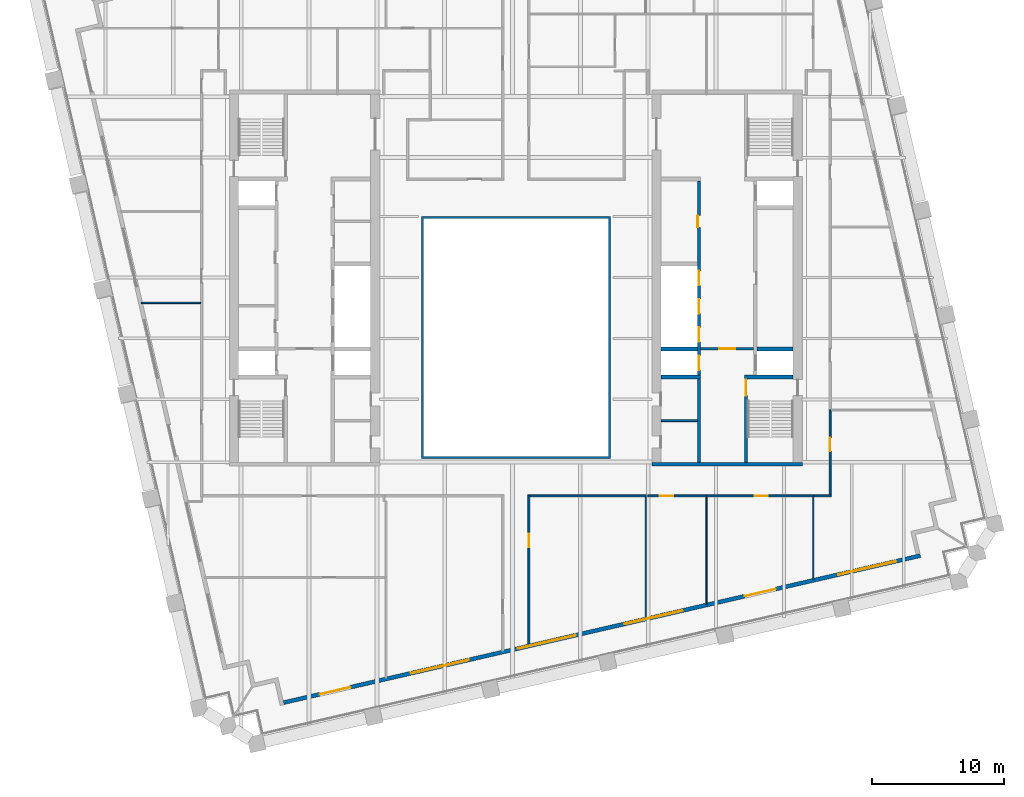
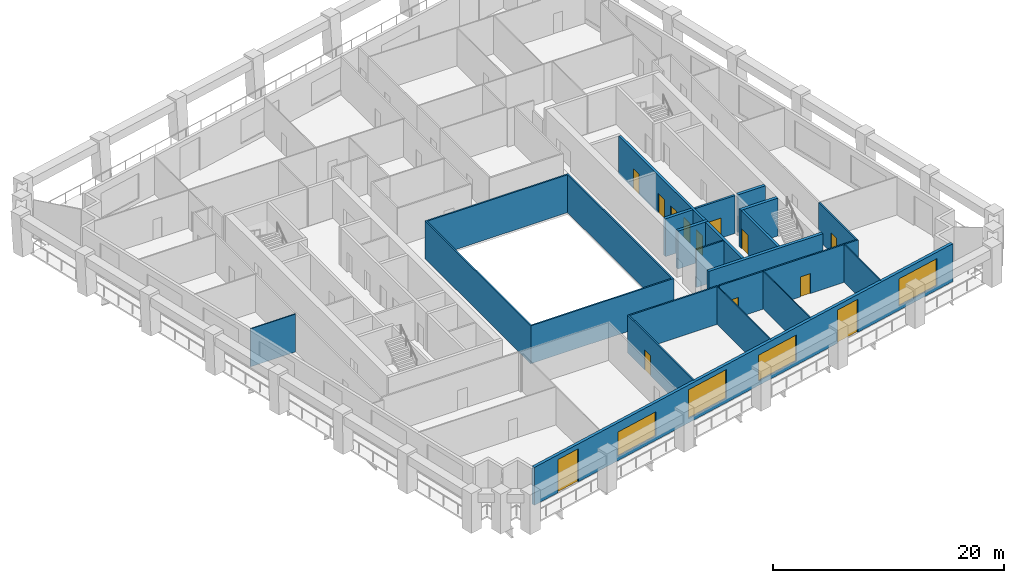
# One storey, part 5 of 10: 21 walls, 13 doors, 4 windows, 17 openings.
"""IFC4 building model written with IfcOpenShell, lengths in metres."""

import ifcopenshell
import ifcopenshell.guid

model = None  # the IFC model being written
_history = None  # IfcOwnerHistory: only IFC2X3 demands one
_inside = {}  # id of a spatial element -> (the spatial element, [elements in it])
_under = {}  # id of a project, library or spatial element -> (it, [spatial elements below it])
_declared = {}  # id of a project -> (the project, [libraries it declares])
_typed = {}  # id of a type object -> (the type object, [elements of that type])
_made_of = {}  # id of a material, layer set ... -> (it, [elements and type objects made of it])


def new_model(schema):
    """Start an empty IFC model of exactly this schema.

    Asked for "IFC4X3", IfcOpenShell would pick the latest addendum, in which some entities
    have other attributes; the version numbers below select the first issue.
    IFC2X3 requires an IfcOwnerHistory on every rooted entity: one is made here for all.
    """
    global model, _history
    if schema == "IFC4X3":
        model = ifcopenshell.file(schema_version=(4, 3, 0, 0))
    else:
        model = ifcopenshell.file(schema=schema)
    _inside.clear()
    _under.clear()
    _declared.clear()
    _typed.clear()
    _made_of.clear()
    _history = None
    if model.schema == "IFC2X3":
        org = make("IfcOrganization", Name="unknown")
        user = make(
            "IfcPersonAndOrganization",
            ThePerson=make("IfcPerson", FamilyName="unknown"),
            TheOrganization=org,
        )
        app = make(
            "IfcApplication",
            ApplicationDeveloper=org,
            Version="unknown",
            ApplicationFullName="unknown",
            ApplicationIdentifier="unknown",
        )
        _history = make(
            "IfcOwnerHistory",
            OwningUser=user,
            OwningApplication=app,
            ChangeAction="ADDED",
            CreationDate=0,
        )
    return model


def make(cls, **values):
    """One entity of the class cls with the attributes given. An attribute that is None is left unset."""
    return model.create_entity(
        cls, **{name: value for name, value in values.items() if value is not None}
    )


def rooted(cls, **values):
    """An entity with a GlobalId (a new one), such as an element, a storey or a relation."""
    return make(cls, GlobalId=ifcopenshell.guid.new(), OwnerHistory=_history, **values)


def si_unit(unit_type, name, prefix=None):
    """IfcSIUnit, for example si_unit("LENGTHUNIT", "METRE", prefix="MILLI")."""
    return make("IfcSIUnit", UnitType=unit_type, Prefix=prefix, Name=name)


def assignment(units):
    """IfcUnitAssignment: the units of a project."""
    return None if units is None else make("IfcUnitAssignment", Units=units)


def point(xyz):
    """IfcCartesianPoint."""
    return None if xyz is None else make("IfcCartesianPoint", Coordinates=xyz)


def direction(xyz):
    """IfcDirection."""
    return None if xyz is None else make("IfcDirection", DirectionRatios=xyz)


def frame(location, z_axis=None, x_axis=None):
    """IfcAxis2Placement3D, a coordinate frame: its origin and axes. An axis left out is left unset."""
    return make(
        "IfcAxis2Placement3D",
        Location=point(location),
        Axis=direction(z_axis),
        RefDirection=direction(x_axis),
    )


def frame_2d(location, x_axis=None):
    """IfcAxis2Placement2D, a coordinate frame in the plane: its origin and x axis."""
    return make(
        "IfcAxis2Placement2D", Location=point(location), RefDirection=direction(x_axis)
    )


def origin():
    """The frame at (0, 0, 0) with its axes left unset."""
    return frame((0.0, 0.0, 0.0))


def place(relative_to, where):
    """IfcLocalPlacement: puts the frame where relative to a parent placement (None: the world)."""
    return make(
        "IfcLocalPlacement", PlacementRelTo=relative_to, RelativePlacement=where
    )


def context(
    kind, dimensions, precision=None, world=None, true_north=None, identifier=None
):
    """IfcGeometricRepresentationContext, for example the 3D "Model" context."""
    return make(
        "IfcGeometricRepresentationContext",
        ContextIdentifier=identifier,
        ContextType=kind,
        CoordinateSpaceDimension=dimensions,
        Precision=precision,
        WorldCoordinateSystem=world,
        TrueNorth=true_north,
    )


def subcontext(parent, identifier, kind, view, scale=None):
    """IfcGeometricRepresentationSubContext, for example "Body" below "Model"."""
    return make(
        "IfcGeometricRepresentationSubContext",
        ContextIdentifier=identifier,
        ContextType=kind,
        ParentContext=parent,
        TargetScale=scale,
        TargetView=view,
    )


def project(units=None, contexts=None):
    """IfcProject with its units and contexts."""
    return rooted(
        "IfcProject",
        Name="project",
        RepresentationContexts=contexts,
        UnitsInContext=assignment(units),
    )


def spatial(cls, under=None, at=None, **own):
    """A site, building, storey or space (cls), placed at a placement, below another one or the project."""
    s = rooted(cls, ObjectPlacement=at, **own)
    if under is not None:
        _under.setdefault(under.id(), (under, []))[1].append(s)
    return s


def polyline(points):
    """IfcPolyline through the points."""
    return make("IfcPolyline", Points=[point(p) for p in points])


def profile(cls, at=None, kind="AREA", **sizes):
    """A parametric profile (cls). Its sizes go by their IFC names, for example OverallWidth=200.0."""
    return make(cls, ProfileType=kind, Position=at, **sizes)


def rectangle(**sizes):
    """IfcRectangleProfileDef."""
    return profile("IfcRectangleProfileDef", **sizes)


def outline(outer, holes=None, kind="AREA"):
    """IfcArbitraryClosedProfileDef: a profile drawn as a closed curve; with holes, ...WithVoids."""
    if holes is None:
        return make("IfcArbitraryClosedProfileDef", ProfileType=kind, OuterCurve=outer)
    return make(
        "IfcArbitraryProfileDefWithVoids",
        ProfileType=kind,
        OuterCurve=outer,
        InnerCurves=holes,
    )


def extrude(swept, where, along, depth):
    """IfcExtrudedAreaSolid: the profile swept, set in the frame where, extruded along a direction by depth."""
    return make(
        "IfcExtrudedAreaSolid",
        SweptArea=swept,
        Position=where,
        ExtrudedDirection=direction(along),
        Depth=depth,
    )


def shape(context_of_items, identifier, shape_type, items):
    """IfcShapeRepresentation: the items that make up one representation, for example the "Body"."""
    return make(
        "IfcShapeRepresentation",
        ContextOfItems=context_of_items,
        RepresentationIdentifier=identifier,
        RepresentationType=shape_type,
        Items=items,
    )


def material(Name=None, Category=None):
    """IfcMaterial."""
    return make("IfcMaterial", Name=Name, Category=Category)


def layer(
    of_material, thickness, ventilated=None, Name=None, Category=None, Priority=None
):
    """IfcMaterialLayer: one layer of a wall or slab, of a material (None: an air gap)."""
    return make(
        "IfcMaterialLayer",
        Material=of_material,
        LayerThickness=thickness,
        IsVentilated=ventilated,
        Name=Name,
        Category=Category,
        Priority=Priority,
    )


def layer_set(layers, Name=None):
    """IfcMaterialLayerSet."""
    return make("IfcMaterialLayerSet", MaterialLayers=layers, LayerSetName=Name)


def made_of(thing, what):
    """Note that an element or type object is made of a material, layer set ...; save() writes the relation."""
    if what is not None:
        _made_of.setdefault(what.id(), (what, []))[1].append(thing)
    return thing


def type_object(cls, material=None, **own):
    """A type object (cls), such as IfcWallType, which elements share."""
    return made_of(rooted(cls, **own), material)


def element(
    cls,
    number,
    at=None,
    inside=None,
    cuts=None,
    type_object=None,
    material=None,
    context=None,
    identifier="Body",
    shape_type=None,
    held_by="IfcProductDefinitionShape",
    body=None,
    shapes=None,
    **own,
):
    """One element of the class cls, such as IfcWall. Its Tag is "e" and its number.

    at: its placement. inside: the storey or other place that contains it. cuts: it is an
    opening in that element (IfcRelVoidsElement). A single representation is given by context,
    identifier, shape_type and body (its items); several are given by shapes. held_by: the class
    of the entity that holds the representations. save() writes the other relations.
    """
    e = rooted(cls, Tag="e%d" % number, ObjectPlacement=at, **own)
    if body is not None:
        shapes = [shape(context, identifier, shape_type, body)]
    if shapes is not None:
        e.Representation = make(held_by, Representations=shapes)
    if inside is not None:
        _inside.setdefault(inside.id(), (inside, []))[1].append(e)
    if cuts is not None:
        rooted(
            "IfcRelVoidsElement", RelatingBuildingElement=cuts, RelatedOpeningElement=e
        )
    if type_object is not None:
        _typed.setdefault(type_object.id(), (type_object, []))[1].append(e)
    return made_of(e, material)


def fill(opening, filler):
    """IfcRelFillsElement: the door or window that sits in an opening."""
    return rooted(
        "IfcRelFillsElement",
        RelatingOpeningElement=opening,
        RelatedBuildingElement=filler,
    )


def aggregate(whole, parts):
    """IfcRelAggregates: a whole, such as a stair, and the parts it consists of."""
    return rooted("IfcRelAggregates", RelatingObject=whole, RelatedObjects=parts)


def save(model, path):
    """Write the relations noted so far, then the file.

    IfcRelAggregates (storeys below a building ...), IfcRelContainedInSpatialStructure (elements
    in a storey), IfcRelDefinesByType, IfcRelAssociatesMaterial and IfcRelDeclares: one each for
    every whole, place, type object, material and project.
    """
    for whole, parts in _under.values():
        aggregate(whole, parts)
    for where, things in _inside.values():
        rooted(
            "IfcRelContainedInSpatialStructure",
            RelatedElements=things,
            RelatingStructure=where,
        )
    for kind, things in _typed.values():
        rooted("IfcRelDefinesByType", RelatedObjects=things, RelatingType=kind)
    for what, things in _made_of.values():
        rooted("IfcRelAssociatesMaterial", RelatedObjects=things, RelatingMaterial=what)
    for by, libraries in _declared.values():
        rooted("IfcRelDeclares", RelatingContext=by, RelatedDefinitions=libraries)
    model.write(path)


model = new_model("IFC4")

# Units and contexts
model_context = context("Model", 3, precision=1e-05, world=origin(), true_north=direction((0.0, 1.0)))
body_context = subcontext(model_context, "Body", "Model", "MODEL_VIEW")
ifc_project = project(units=[si_unit("LENGTHUNIT", "METRE"), si_unit("AREAUNIT", "SQUARE_METRE"), si_unit("VOLUMEUNIT", "CUBIC_METRE"), si_unit("PLANEANGLEUNIT", "RADIAN"), si_unit("MASSUNIT", "GRAM", prefix="KILO")], contexts=[model_context])

# Site, building, storey
site_placement = place(None, origin())
site = spatial("IfcSite", under=ifc_project, at=site_placement, CompositionType="ELEMENT")
building_placement = place(site_placement, origin())
building = spatial("IfcBuilding", under=site, at=building_placement, Name="Ogive Exchange Tower", CompositionType="ELEMENT")
storey_placement = place(building_placement, frame((0.0, 0.0, 192.60009765625)))
storey = spatial("IfcBuildingStorey", under=building, at=storey_placement, Name="L42", CompositionType="ELEMENT", Elevation=192.60009765625)

# Wall
ifc_material_1 = material(Name="Gypsum board partition")
ifc_layer_1 = layer(ifc_material_1, 0.14990234375)
ifc_layer_set_1 = layer_set([ifc_layer_1], Name="Core room partition 150 gypsum")
wall_type_1 = type_object("IfcWallType", Name="Core room partition 150 gypsum", PredefinedType="PARTITIONING", material=ifc_layer_set_1)
wall_1_placement = place(storey_placement, frame((11.0, 0.699951171875, 0.0), z_axis=(0.0, 0.0, 1.0), x_axis=(1.0, 0.0, 0.0)))
element("IfcWall", 1, at=wall_1_placement, inside=storey, type_object=wall_type_1, Name="E south room partition", PredefinedType="PARTITIONING", context=body_context, shape_type="SweptSolid", body=[
    extrude(rectangle(XDim=2.75, YDim=0.14990234375, at=frame_2d((1.375, 0.0))), origin(), (0.0, 0.0, 1.0), 4.0),
])

# Wall, opening, door
ifc_material_2 = material(Name="Fire partition EI 60 150")
ifc_layer_2 = layer(ifc_material_2, 0.14990234375)
ifc_layer_set_2 = layer_set([ifc_layer_2], Name="Fire partition EI 60 150")
wall_type_2 = type_object("IfcWallType", Name="Fire partition EI 60 150", PredefinedType="PARTITIONING", material=ifc_layer_set_2)
wall_2_placement = place(storey_placement, frame((0.989990234375, -4.925048828125, 0.0), z_axis=(0.0, 0.0, 1.0), x_axis=(0.0, -1.0, 0.0)))
wall_2 = element("IfcWall", 2, at=wall_2_placement, inside=storey, type_object=wall_type_2, Name="L42-PWL-041", PredefinedType="PARTITIONING", context=body_context, shape_type="SweptSolid", body=[
    extrude(rectangle(XDim=11.370849609375, YDim=0.14990234375, at=frame_2d((5.685546875, 0.0))), origin(), (0.0, 0.0, 1.0), 4.0),
])
opening_1_placement = place(wall_2_placement, frame((2.945068359375, 0.0, 0.0)))
opening_1 = element("IfcOpeningElement", 3, at=opening_1_placement, cuts=wall_2, Name="Opening L42-I15", PredefinedType="OPENING", context=body_context, shape_type="SweptSolid", body=[
    extrude(rectangle(XDim=1.0, YDim=2.10009765625, at=frame_2d((0.5, 1.050048828125))), frame((0.0, 0.0849609375, 0.0), z_axis=(0.0, -1.0, 0.0), x_axis=(1.0, 0.0, 0.0)), (0.0, 0.0, 1.0), 0.169921875),
])
ifc_material_3 = material(Name="Fire door FD 30S 1000 x 2100")
door_type_1 = type_object("IfcDoorType", Name="Fire door FD 30S 1000 x 2100", OperationType="NOTDEFINED", PredefinedType="DOOR", material=ifc_material_3)
door_1_placement = place(opening_1_placement, origin())
door_1 = element("IfcDoor", 4, at=door_1_placement, inside=storey, type_object=door_type_1, Name="L42-IDR-015", ObjectType="DT3", OperationType="SINGLE_SWING_RIGHT", OverallHeight=2.10009765625, OverallWidth=1.0, PredefinedType="DOOR", context=body_context, shape_type="SweptSolid", body=[
    extrude(rectangle(XDim=1.0, YDim=2.10009765625, at=frame_2d((0.5, 1.050048828125))), frame((0.0, 0.02490234375, 0.0), z_axis=(0.0, -1.0, 0.0), x_axis=(1.0, 0.0, 0.0)), (0.0, 0.0, 1.0), 0.050048828125),
])
fill(opening_1, door_1)

# Wall
wall_3_placement = place(storey_placement, frame((9.8798828125, -5.0, 0.0), z_axis=(0.0, 0.0, 1.0), x_axis=(-1.0, 0.0, 0.0)))
element("IfcWall", 5, at=wall_3_placement, inside=storey, type_object=wall_type_2, Name="L42-PWL-055", PredefinedType="PARTITIONING", context=body_context, shape_type="SweptSolid", body=[
    extrude(rectangle(XDim=8.81494140625, YDim=0.14990234375, at=frame_2d((4.407470703125, 0.0))), origin(), (0.0, 0.0, 1.0), 4.0),
])

# Wall, opening, door
wall_4_placement = place(storey_placement, frame((14.429931640625, -5.0, 0.0), z_axis=(0.0, 0.0, 1.0), x_axis=(-1.0, 0.0, 0.0)))
wall_4 = element("IfcWall", 6, at=wall_4_placement, inside=storey, type_object=wall_type_2, Name="L42-PWL-064", PredefinedType="PARTITIONING", context=body_context, shape_type="SweptSolid", body=[
    extrude(rectangle(XDim=4.429931640625, YDim=0.14990234375, at=frame_2d((2.21484375, 0.0))), origin(), (0.0, 0.0, 1.0), 4.0),
])
opening_2_placement = place(wall_4_placement, frame((2.530029296875, 0.0, 0.0)))
opening_2 = element("IfcOpeningElement", 7, at=opening_2_placement, cuts=wall_4, Name="Opening L42-I16", PredefinedType="OPENING", context=body_context, shape_type="SweptSolid", body=[
    extrude(rectangle(XDim=1.0, YDim=2.10009765625, at=frame_2d((0.5, 1.050048828125))), frame((0.0, 0.0849609375, 0.0), z_axis=(0.0, -1.0, 0.0), x_axis=(1.0, 0.0, 0.0)), (0.0, 0.0, 1.0), 0.169921875),
])
door_2_placement = place(opening_2_placement, origin())
door_2 = element("IfcDoor", 8, at=door_2_placement, inside=storey, type_object=door_type_1, Name="L42-IDR-016", ObjectType="DT3", OperationType="SINGLE_SWING_LEFT", OverallHeight=2.10009765625, OverallWidth=1.0, PredefinedType="DOOR", context=body_context, shape_type="SweptSolid", body=[
    extrude(rectangle(XDim=1.0, YDim=2.10009765625, at=frame_2d((0.5, 1.050048828125))), frame((0.0, 0.02490234375, 0.0), z_axis=(0.0, -1.0, 0.0), x_axis=(1.0, 0.0, 0.0)), (0.0, 0.0, 1.0), 0.050048828125),
])
fill(opening_2, door_2)

wall_5_placement = place(storey_placement, frame((22.570068359375, -5.0, 0.0), z_axis=(0.0, 0.0, 1.0), x_axis=(-1.0, 0.0, 0.0)))
wall_5 = element("IfcWall", 9, at=wall_5_placement, inside=storey, type_object=wall_type_2, Name="L42-PWL-070", PredefinedType="PARTITIONING", context=body_context, shape_type="SweptSolid", body=[
    extrude(rectangle(XDim=8.14013671875, YDim=0.14990234375, at=frame_2d((4.070068359375, 0.0))), origin(), (0.0, 0.0, 1.0), 4.0),
])
opening_3_placement = place(wall_5_placement, frame((3.489990234375, 0.0, 0.0)))
opening_3 = element("IfcOpeningElement", 10, at=opening_3_placement, cuts=wall_5, Name="Opening L42-I17", PredefinedType="OPENING", context=body_context, shape_type="SweptSolid", body=[
    extrude(rectangle(XDim=1.0, YDim=2.10009765625, at=frame_2d((0.5, 1.050048828125))), frame((0.0, 0.0849609375, 0.0), z_axis=(0.0, -1.0, 0.0), x_axis=(1.0, 0.0, 0.0)), (0.0, 0.0, 1.0), 0.169921875),
])
door_3_placement = place(opening_3_placement, origin())
door_3 = element("IfcDoor", 11, at=door_3_placement, inside=storey, type_object=door_type_1, Name="L42-IDR-017", ObjectType="DT3", OperationType="SINGLE_SWING_LEFT", OverallHeight=2.10009765625, OverallWidth=1.0, PredefinedType="DOOR", context=body_context, shape_type="SweptSolid", body=[
    extrude(rectangle(XDim=1.0, YDim=2.10009765625, at=frame_2d((0.5, 1.050048828125))), frame((0.0, 0.02490234375, 0.0), z_axis=(0.0, -1.0, 0.0), x_axis=(1.0, 0.0, 0.0)), (0.0, 0.0, 1.0), 0.050048828125),
])
fill(opening_3, door_3)

# Wall
wall_6_placement = place(storey_placement, frame((23.875, -5.0, 0.0), z_axis=(0.0, 0.0, 1.0), x_axis=(-1.0, 0.0, 0.0)))
element("IfcWall", 12, at=wall_6_placement, inside=storey, type_object=wall_type_2, Name="L42-PWL-077", PredefinedType="PARTITIONING", context=body_context, shape_type="SweptSolid", body=[
    extrude(rectangle(XDim=1.304931640625, YDim=0.14990234375, at=frame_2d((0.65234375, 0.0))), origin(), (0.0, 0.0, 1.0), 4.0),
])

# Wall, opening, door
wall_7_placement = place(storey_placement, frame((23.800048828125, 1.510009765625, 0.0), z_axis=(0.0, 0.0, 1.0), x_axis=(0.0, -1.0, 0.0)))
wall_7 = element("IfcWall", 13, at=wall_7_placement, inside=storey, type_object=wall_type_2, Name="L42-PWL-078", PredefinedType="PARTITIONING", context=body_context, shape_type="SweptSolid", body=[
    extrude(rectangle(XDim=6.43505859375, YDim=0.14990234375, at=frame_2d((3.217529296875, 0.0))), origin(), (0.0, 0.0, 1.0), 4.0),
])
opening_4_placement = place(wall_7_placement, frame((2.110107421875, 0.0, 0.0)))
opening_4 = element("IfcOpeningElement", 14, at=opening_4_placement, cuts=wall_7, Name="Opening L42-I18", PredefinedType="OPENING", context=body_context, shape_type="SweptSolid", body=[
    extrude(rectangle(XDim=1.0, YDim=2.10009765625, at=frame_2d((0.5, 1.050048828125))), frame((0.0, 0.0849609375, 0.0), z_axis=(0.0, -1.0, 0.0), x_axis=(1.0, 0.0, 0.0)), (0.0, 0.0, 1.0), 0.169921875),
])
door_4_placement = place(opening_4_placement, origin())
door_4 = element("IfcDoor", 15, at=door_4_placement, inside=storey, type_object=door_type_1, Name="L42-IDR-018", ObjectType="DT3", OperationType="SINGLE_SWING_RIGHT", OverallHeight=2.10009765625, OverallWidth=1.0, PredefinedType="DOOR", context=body_context, shape_type="SweptSolid", body=[
    extrude(rectangle(XDim=1.0, YDim=2.10009765625, at=frame_2d((0.5, 1.050048828125))), frame((0.0, 0.02490234375, 0.0), z_axis=(0.0, -1.0, 0.0), x_axis=(1.0, 0.0, 0.0)), (0.0, 0.0, 1.0), 0.050048828125),
])
fill(opening_4, door_4)

# Wall
ifc_material_4 = material(Name="Fire-resisting glass in steel frame", Category="steel")
ifc_layer_3 = layer(ifc_material_4, 0.14990234375)
ifc_layer_set_3 = layer_set([ifc_layer_3], Name="Fire-rated glazed wall 150")
wall_type_3 = type_object("IfcWallType", Name="Fire-rated glazed wall 150", PredefinedType="STANDARD", material=ifc_layer_set_3)
wall_8_placement = place(storey_placement, origin())
element("IfcWall", 16, at=wall_8_placement, inside=storey, type_object=wall_type_3, Name="Nave enclosure wall", PredefinedType="STANDARD", context=body_context, shape_type="SweptSolid", body=[
    extrude(outline(polyline([(-7.14990234375, -2.14990234375), (7.14990234375, -2.14990234375), (7.14990234375, 16.14990234375), (-7.14990234375, 16.14990234375), (-7.14990234375, -2.14990234375)]), holes=[polyline([(-7.0, -2.0), (-7.0, 16.0), (7.0, 16.0), (7.0, -2.0), (-7.0, -2.0)])]), origin(), (0.0, 0.0, 1.0), 4.0),
])

# Wall, openings, doors, windows
ifc_material_5 = material(Name="Precast concrete C40/50", Category="concrete")
ifc_layer_4 = layer(ifc_material_5, 0.300048828125)
ifc_layer_set_4 = layer_set([ifc_layer_4], Name="Limestone-faced wall 300")
wall_type_4 = type_object("IfcWallType", Name="Limestone-faced wall 300", PredefinedType="STANDARD", material=ifc_layer_set_4)
wall_9_placement = place(storey_placement, frame((-17.592041015625, -20.6572265625, 0.0), z_axis=(0.0, 0.0, 1.0), x_axis=(0.974370243697, 0.224950279389, 0.0)))
wall_9 = element("IfcWall", 17, at=wall_9_placement, inside=storey, type_object=wall_type_4, Name="External wall S1", PredefinedType="STANDARD", context=body_context, shape_type="SweptSolid", body=[
    extrude(rectangle(XDim=49.499755859375, YDim=0.300048828125, at=frame_2d((24.75, 0.0))), origin(), (0.0, 0.0, 1.0), 4.0),
])
opening_5_placement = place(wall_9_placement, frame((2.800048828125, 0.0, 0.0)))
opening_5 = element("IfcOpeningElement", 18, at=opening_5_placement, cuts=wall_9, Name="Opening D1", PredefinedType="OPENING", context=body_context, shape_type="SweptSolid", body=[
    extrude(rectangle(XDim=2.39990234375, YDim=3.5, at=frame_2d((1.199951171875, 1.75))), frame((0.0, 0.159912109375, 0.0), z_axis=(0.0, -1.0, 0.0), x_axis=(1.0, 0.0, 0.0)), (0.0, 0.0, 1.0), 0.320068359375),
])
opening_6_placement = place(wall_9_placement, frame((9.89990234375, 0.0, 0.449951171875)))
opening_6 = element("IfcOpeningElement", 19, at=opening_6_placement, cuts=wall_9, Name="Opening W1M", PredefinedType="OPENING", context=body_context, shape_type="SweptSolid", body=[
    extrude(rectangle(XDim=4.5, YDim=2.574951171875, at=frame_2d((2.25, 1.28759765625))), frame((0.0, 0.159912109375, 0.0), z_axis=(0.0, -1.0, 0.0), x_axis=(1.0, 0.0, 0.0)), (0.0, 0.0, 1.0), 0.320068359375),
])
opening_7_placement = place(wall_9_placement, frame((18.199951171875, 0.0, 0.449951171875)))
opening_7 = element("IfcOpeningElement", 20, at=opening_7_placement, cuts=wall_9, Name="Opening W1", PredefinedType="OPENING", context=body_context, shape_type="SweptSolid", body=[
    extrude(rectangle(XDim=4.5, YDim=3.050048828125, at=frame_2d((2.25, 1.52490234375))), frame((0.0, 0.159912109375, 0.0), z_axis=(0.0, -1.0, 0.0), x_axis=(1.0, 0.0, 0.0)), (0.0, 0.0, 1.0), 0.320068359375),
])
opening_8_placement = place(wall_9_placement, frame((26.5, 0.0, 0.449951171875)))
opening_8 = element("IfcOpeningElement", 21, at=opening_8_placement, cuts=wall_9, Name="Opening W1H", PredefinedType="OPENING", context=body_context, shape_type="SweptSolid", body=[
    extrude(rectangle(XDim=4.5, YDim=2.75, at=frame_2d((2.25, 1.375))), frame((0.0, 0.159912109375, 0.0), z_axis=(0.0, -1.0, 0.0), x_axis=(1.0, 0.0, 0.0)), (0.0, 0.0, 1.0), 0.320068359375),
])
opening_9_placement = place(wall_9_placement, frame((35.85009765625, 0.0, 0.0)))
opening_9 = element("IfcOpeningElement", 22, at=opening_9_placement, cuts=wall_9, Name="Opening D1", PredefinedType="OPENING", context=body_context, shape_type="SweptSolid", body=[
    extrude(rectangle(XDim=2.39990234375, YDim=3.5, at=frame_2d((1.199951171875, 1.75))), frame((0.0, 0.159912109375, 0.0), z_axis=(0.0, -1.0, 0.0), x_axis=(1.0, 0.0, 0.0)), (0.0, 0.0, 1.0), 0.320068359375),
])
opening_10_placement = place(wall_9_placement, frame((43.10009765625, 0.0, 0.449951171875)))
opening_10 = element("IfcOpeningElement", 23, at=opening_10_placement, cuts=wall_9, Name="Opening W1D", PredefinedType="OPENING", context=body_context, shape_type="SweptSolid", body=[
    extrude(rectangle(XDim=4.5, YDim=2.875, at=frame_2d((2.25, 1.4375))), frame((0.0, 0.159912109375, 0.0), z_axis=(0.0, -1.0, 0.0), x_axis=(1.0, 0.0, 0.0)), (0.0, 0.0, 1.0), 0.320068359375),
])
ifc_material_6 = material(Name="Clear glass in bronze frame", Category="glass")
door_type_2 = type_object("IfcDoorType", Name="Sliding loggia door 2400 x 3500", OperationType="DOUBLE_DOOR_SLIDING", PredefinedType="DOOR", material=ifc_material_6)
door_5_placement = place(opening_5_placement, origin())
door_5 = element("IfcDoor", 24, at=door_5_placement, inside=storey, type_object=door_type_2, Name="Loggia door S00", OperationType="DOUBLE_DOOR_SLIDING", OverallHeight=3.5, OverallWidth=2.39990234375, PredefinedType="DOOR", context=body_context, shape_type="SweptSolid", body=[
    extrude(rectangle(XDim=2.39990234375, YDim=3.5, at=frame_2d((1.199951171875, 1.75))), frame((0.0, 0.02490234375, 0.0), z_axis=(0.0, -1.0, 0.0), x_axis=(1.0, 0.0, 0.0)), (0.0, 0.0, 1.0), 0.050048828125),
])
fill(opening_5, door_5)
door_6_placement = place(opening_9_placement, origin())
door_6 = element("IfcDoor", 25, at=door_6_placement, inside=storey, type_object=door_type_2, Name="Loggia door S04", OperationType="DOUBLE_DOOR_SLIDING", OverallHeight=3.5, OverallWidth=2.39990234375, PredefinedType="DOOR", context=body_context, shape_type="SweptSolid", body=[
    extrude(rectangle(XDim=2.39990234375, YDim=3.5, at=frame_2d((1.199951171875, 1.75))), frame((0.0, 0.02490234375, 0.0), z_axis=(0.0, -1.0, 0.0), x_axis=(1.0, 0.0, 0.0)), (0.0, 0.0, 1.0), 0.050048828125),
])
fill(opening_9, door_6)
window_type_1 = type_object("IfcWindowType", Name="Twin lancet window 4500 x 2575", PartitioningType="DOUBLE_PANEL_VERTICAL", PredefinedType="WINDOW", material=ifc_material_6)
window_1_placement = place(opening_6_placement, origin())
window_1 = element("IfcWindow", 26, at=window_1_placement, inside=storey, type_object=window_type_1, Name="Window S01", OverallHeight=2.574951171875, OverallWidth=4.5, PartitioningType="DOUBLE_PANEL_VERTICAL", PredefinedType="WINDOW", context=body_context, shape_type="SweptSolid", body=[
    extrude(rectangle(XDim=4.5, YDim=2.574951171875, at=frame_2d((2.25, 1.28759765625))), frame((0.0, 0.030029296875, 0.0), z_axis=(0.0, -1.0, 0.0), x_axis=(1.0, 0.0, 0.0)), (0.0, 0.0, 1.0), 0.06005859375),
])
fill(opening_6, window_1)
window_type_2 = type_object("IfcWindowType", Name="Twin lancet window 4500 x 2750", PartitioningType="DOUBLE_PANEL_VERTICAL", PredefinedType="WINDOW", material=ifc_material_6)
window_2_placement = place(opening_8_placement, origin())
window_2 = element("IfcWindow", 27, at=window_2_placement, inside=storey, type_object=window_type_2, Name="Window S03", OverallHeight=2.75, OverallWidth=4.5, PartitioningType="DOUBLE_PANEL_VERTICAL", PredefinedType="WINDOW", context=body_context, shape_type="SweptSolid", body=[
    extrude(rectangle(XDim=4.5, YDim=2.75, at=frame_2d((2.25, 1.375))), frame((0.0, 0.030029296875, 0.0), z_axis=(0.0, -1.0, 0.0), x_axis=(1.0, 0.0, 0.0)), (0.0, 0.0, 1.0), 0.06005859375),
])
fill(opening_8, window_2)
window_type_3 = type_object("IfcWindowType", Name="Twin lancet window 4500 x 2875", PartitioningType="DOUBLE_PANEL_VERTICAL", PredefinedType="WINDOW", material=ifc_material_6)
window_3_placement = place(opening_10_placement, origin())
window_3 = element("IfcWindow", 28, at=window_3_placement, inside=storey, type_object=window_type_3, Name="Window S05", OverallHeight=2.875, OverallWidth=4.5, PartitioningType="DOUBLE_PANEL_VERTICAL", PredefinedType="WINDOW", context=body_context, shape_type="SweptSolid", body=[
    extrude(rectangle(XDim=4.5, YDim=2.875, at=frame_2d((2.25, 1.4375))), frame((0.0, 0.030029296875, 0.0), z_axis=(0.0, -1.0, 0.0), x_axis=(1.0, 0.0, 0.0)), (0.0, 0.0, 1.0), 0.06005859375),
])
fill(opening_10, window_3)
window_type_4 = type_object("IfcWindowType", Name="Twin lancet window 4500 x 3050", PartitioningType="DOUBLE_PANEL_VERTICAL", PredefinedType="WINDOW", material=ifc_material_6)
window_4_placement = place(opening_7_placement, origin())
window_4 = element("IfcWindow", 29, at=window_4_placement, inside=storey, type_object=window_type_4, Name="Window S02", OverallHeight=3.050048828125, OverallWidth=4.5, PartitioningType="DOUBLE_PANEL_VERTICAL", PredefinedType="WINDOW", context=body_context, shape_type="SweptSolid", body=[
    extrude(rectangle(XDim=4.5, YDim=3.050048828125, at=frame_2d((2.25, 1.52490234375))), frame((0.0, 0.030029296875, 0.0), z_axis=(0.0, -1.0, 0.0), x_axis=(1.0, 0.0, 0.0)), (0.0, 0.0, 1.0), 0.06005859375),
])
fill(opening_7, window_4)

# Walls
ifc_material_7 = material(Name="Partition 100 gypsum")
ifc_layer_5 = layer(ifc_material_7, 0.10009765625)
ifc_layer_set_5 = layer_set([ifc_layer_5], Name="Partition 100 gypsum")
wall_type_5 = type_object("IfcWallType", Name="Partition 100 gypsum", PredefinedType="PARTITIONING", material=ifc_layer_set_5)
wall_10_placement = place(storey_placement, frame((-23.875, 9.6201171875, 0.0), z_axis=(0.0, 0.0, 1.0), x_axis=(-1.0, 0.0, 0.0)))
element("IfcWall", 30, at=wall_10_placement, inside=storey, type_object=wall_type_5, Name="L42-PWL-004", PredefinedType="PARTITIONING", context=body_context, shape_type="SweptSolid", body=[
    extrude(rectangle(XDim=4.485107421875, YDim=0.10009765625, at=frame_2d((2.24267578125, 0.0))), origin(), (0.0, 0.0, 1.0), 4.0),
])
wall_11_placement = place(storey_placement, frame((9.830078125, -5.074951171875, 0.0), z_axis=(0.0, 0.0, 1.0), x_axis=(0.0, -1.0, 0.0)))
element("IfcWall", 31, at=wall_11_placement, inside=storey, type_object=wall_type_5, Name="L42-PWL-056", PredefinedType="PARTITIONING", context=body_context, shape_type="SweptSolid", body=[
    extrude(rectangle(XDim=9.179931640625, YDim=0.10009765625, at=frame_2d((4.58984375, 0.0))), origin(), (0.0, 0.0, 1.0), 4.0),
])
wall_12_placement = place(storey_placement, frame((14.429931640625, -5.074951171875, 0.0), z_axis=(0.0, 0.0, 1.0), x_axis=(0.0, -1.0, 0.0)))
element("IfcWall", 32, at=wall_12_placement, inside=storey, type_object=wall_type_5, Name="L42-PWL-065", PredefinedType="PARTITIONING", context=body_context, shape_type="SweptSolid", body=[
    extrude(rectangle(XDim=8.1181640625, YDim=0.10009765625, at=frame_2d((4.05908203125, 0.0))), origin(), (0.0, 0.0, 1.0), 4.0),
])
wall_13_placement = place(storey_placement, frame((22.52001953125, -5.074951171875, 0.0), z_axis=(0.0, 0.0, 1.0), x_axis=(0.0, -1.0, 0.0)))
element("IfcWall", 33, at=wall_13_placement, inside=storey, type_object=wall_type_5, Name="L42-PWL-071", PredefinedType="PARTITIONING", context=body_context, shape_type="SweptSolid", body=[
    extrude(rectangle(XDim=6.25, YDim=0.10009765625, at=frame_2d((3.125, 0.0))), origin(), (0.0, 0.0, 1.0), 4.0),
])

# Wall, opening, door
ifc_material_8 = material(Name="Concrete C70/85", Category="concrete")
ifc_layer_6 = layer(ifc_material_8, 0.199951171875)
ifc_layer_set_6 = layer_set([ifc_layer_6], Name="RC core wall 200 C70/85")
wall_type_6 = type_object("IfcWallType", Name="RC core wall 200 C70/85", PredefinedType="SHEAR", material=ifc_layer_set_6)
wall_14_placement = place(storey_placement, frame((14.0, 6.142822265625, 0.0), z_axis=(0.0, 0.0, 1.0), x_axis=(1.0, 0.0, 0.0)))
wall_14 = element("IfcWall", 34, at=wall_14_placement, inside=storey, type_object=wall_type_6, Name="E firefighting lobby wall", PredefinedType="SHEAR", context=body_context, shape_type="SweptSolid", body=[
    extrude(rectangle(XDim=4.0, YDim=0.199951171875, at=frame_2d((2.0, 0.0))), origin(), (0.0, 0.0, 1.0), 4.0),
])
opening_11_placement = place(wall_14_placement, frame((1.39990234375, 0.0, 0.0)))
opening_11 = element("IfcOpeningElement", 35, at=opening_11_placement, cuts=wall_14, Name="Opening L42-C27", PredefinedType="OPENING", context=body_context, shape_type="SweptSolid", body=[
    extrude(rectangle(XDim=1.199951171875, YDim=2.10009765625, at=frame_2d((0.60009765625, 1.050048828125))), frame((0.0, 0.10986328125, 0.0), z_axis=(0.0, -1.0, 0.0), x_axis=(1.0, 0.0, 0.0)), (0.0, 0.0, 1.0), 0.219970703125),
])
ifc_material_9 = material(Name="Steel fire door", Category="steel")
door_type_3 = type_object("IfcDoorType", Name="Firefighting lobby door FD60 1200 x 2100", OperationType="NOTDEFINED", PredefinedType="DOOR", material=ifc_material_9)
door_7_placement = place(opening_11_placement, frame((1.199951171875, 0.0, 0.0), z_axis=(0.0, 0.0, 1.0), x_axis=(-1.0, 0.0, 0.0)))
door_7 = element("IfcDoor", 36, at=door_7_placement, inside=storey, type_object=door_type_3, Name="Firefighting lobby door", ObjectType="CD3", OperationType="SINGLE_SWING_LEFT", OverallHeight=2.10009765625, OverallWidth=1.199951171875, PredefinedType="DOOR", context=body_context, shape_type="SweptSolid", body=[
    extrude(rectangle(XDim=1.199951171875, YDim=2.10009765625, at=frame_2d((0.60009765625, 1.050048828125))), frame((0.0, 0.02490234375, 0.0), z_axis=(0.0, -1.0, 0.0), x_axis=(1.0, 0.0, 0.0)), (0.0, 0.0, 1.0), 0.050048828125),
])
fill(opening_11, door_7)

ifc_layer_7 = layer(ifc_material_8, 0.25)
ifc_layer_set_7 = layer_set([ifc_layer_7], Name="RC core wall 250 C70/85")
wall_type_7 = type_object("IfcWallType", Name="RC core wall 250 C70/85", PredefinedType="SHEAR", material=ifc_layer_set_7)
wall_15_placement = place(storey_placement, frame((17.425048828125, -2.449951171875, 0.0), z_axis=(0.0, 0.0, 1.0), x_axis=(0.0, 1.0, 0.0)))
wall_15 = element("IfcWall", 37, at=wall_15_placement, inside=storey, type_object=wall_type_7, Name="E stair S front wall", PredefinedType="SHEAR", context=body_context, shape_type="SweptSolid", body=[
    extrude(rectangle(XDim=6.300048828125, YDim=0.25, at=frame_2d((3.14990234375, 0.0))), origin(), (0.0, 0.0, 1.0), 4.0),
])
opening_12_placement = place(wall_15_placement, frame((5.050048828125, 0.0, 0.0)))
opening_12 = element("IfcOpeningElement", 38, at=opening_12_placement, cuts=wall_15, Name="Opening L42-C29", PredefinedType="OPENING", context=body_context, shape_type="SweptSolid", body=[
    extrude(rectangle(XDim=1.199951171875, YDim=2.10009765625, at=frame_2d((0.60009765625, 1.050048828125))), frame((0.0, 0.135009765625, 0.0), z_axis=(0.0, -1.0, 0.0), x_axis=(1.0, 0.0, 0.0)), (0.0, 0.0, 1.0), 0.27001953125),
])
door_type_4 = type_object("IfcDoorType", Name="Stair door FD90 1200 x 2100", OperationType="NOTDEFINED", PredefinedType="DOOR", material=ifc_material_9)
door_8_placement = place(opening_12_placement, frame((1.199951171875, 0.0, 0.0), z_axis=(0.0, 0.0, 1.0), x_axis=(-1.0, 0.0, 0.0)))
door_8 = element("IfcDoor", 39, at=door_8_placement, inside=storey, type_object=door_type_4, Name="Stair door", ObjectType="CD5", OperationType="SINGLE_SWING_RIGHT", OverallHeight=2.10009765625, OverallWidth=1.199951171875, PredefinedType="DOOR", context=body_context, shape_type="SweptSolid", body=[
    extrude(rectangle(XDim=1.199951171875, YDim=2.10009765625, at=frame_2d((0.60009765625, 1.050048828125))), frame((0.0, 0.02490234375, 0.0), z_axis=(0.0, -1.0, 0.0), x_axis=(1.0, 0.0, 0.0)), (0.0, 0.0, 1.0), 0.050048828125),
])
fill(opening_12, door_8)

# Wall, openings, doors
wall_16_placement = place(storey_placement, frame((13.875, -2.449951171875, 0.0), z_axis=(0.0, 0.0, 1.0), x_axis=(0.0, 1.0, 0.0)))
wall_16 = element("IfcWall", 40, at=wall_16_placement, inside=storey, type_object=wall_type_7, Name="E row B front wall", PredefinedType="SHEAR", context=body_context, shape_type="SweptSolid", body=[
    extrude(rectangle(XDim=21.300048828125, YDim=0.25, at=frame_2d((10.64990234375, 0.0))), origin(), (0.0, 0.0, 1.0), 4.0),
])
opening_13_placement = place(wall_16_placement, frame((17.78564453125, 0.0, 0.0)))
opening_13 = element("IfcOpeningElement", 41, at=opening_13_placement, cuts=wall_16, Name="Opening L42-C22", PredefinedType="OPENING", context=body_context, shape_type="SweptSolid", body=[
    extrude(rectangle(XDim=0.89990234375, YDim=2.10009765625, at=frame_2d((0.449951171875, 1.050048828125))), frame((0.0, 0.135009765625, 0.0), z_axis=(0.0, -1.0, 0.0), x_axis=(1.0, 0.0, 0.0)), (0.0, 0.0, 1.0), 0.27001953125),
])
opening_14_placement = place(wall_16_placement, frame((6.971435546875, 0.0, 0.0)))
opening_14 = element("IfcOpeningElement", 42, at=opening_14_placement, cuts=wall_16, Name="Opening L42-C23", PredefinedType="OPENING", context=body_context, shape_type="SweptSolid", body=[
    extrude(rectangle(XDim=1.10009765625, YDim=2.10009765625, at=frame_2d((0.550048828125, 1.050048828125))), frame((0.0, 0.135009765625, 0.0), z_axis=(0.0, -1.0, 0.0), x_axis=(1.0, 0.0, 0.0)), (0.0, 0.0, 1.0), 0.27001953125),
])
opening_15_placement = place(wall_16_placement, frame((9.1142578125, 0.0, 0.0)))
opening_15 = element("IfcOpeningElement", 43, at=opening_15_placement, cuts=wall_16, Name="Opening L42-C24", PredefinedType="OPENING", context=body_context, shape_type="SweptSolid", body=[
    extrude(rectangle(XDim=1.10009765625, YDim=2.10009765625, at=frame_2d((0.550048828125, 1.050048828125))), frame((0.0, 0.135009765625, 0.0), z_axis=(0.0, -1.0, 0.0), x_axis=(1.0, 0.0, 0.0)), (0.0, 0.0, 1.0), 0.27001953125),
])
opening_16_placement = place(wall_16_placement, frame((11.257080078125, 0.0, 0.0)))
opening_16 = element("IfcOpeningElement", 44, at=opening_16_placement, cuts=wall_16, Name="Opening L42-C25", PredefinedType="OPENING", context=body_context, shape_type="SweptSolid", body=[
    extrude(rectangle(XDim=1.10009765625, YDim=2.10009765625, at=frame_2d((0.550048828125, 1.050048828125))), frame((0.0, 0.135009765625, 0.0), z_axis=(0.0, -1.0, 0.0), x_axis=(1.0, 0.0, 0.0)), (0.0, 0.0, 1.0), 0.27001953125),
])
opening_17_placement = place(wall_16_placement, frame((13.39990234375, 0.0, 0.0)))
opening_17 = element("IfcOpeningElement", 45, at=opening_17_placement, cuts=wall_16, Name="Opening L42-C26", PredefinedType="OPENING", context=body_context, shape_type="SweptSolid", body=[
    extrude(rectangle(XDim=1.10009765625, YDim=2.10009765625, at=frame_2d((0.550048828125, 1.050048828125))), frame((0.0, 0.135009765625, 0.0), z_axis=(0.0, -1.0, 0.0), x_axis=(1.0, 0.0, 0.0)), (0.0, 0.0, 1.0), 0.27001953125),
])
ifc_material_10 = material(Name="Timber fire door", Category="wood")
door_type_5 = type_object("IfcDoorType", Name="Core room door FD30S 900 x 2100", OperationType="NOTDEFINED", PredefinedType="DOOR", material=ifc_material_10)
door_9_placement = place(opening_13_placement, origin())
door_9 = element("IfcDoor", 46, at=door_9_placement, inside=storey, type_object=door_type_5, Name="Core room door", ObjectType="CD6", OperationType="SINGLE_SWING_LEFT", OverallHeight=2.10009765625, OverallWidth=0.89990234375, PredefinedType="DOOR", context=body_context, shape_type="SweptSolid", body=[
    extrude(rectangle(XDim=0.89990234375, YDim=2.10009765625, at=frame_2d((0.449951171875, 1.050048828125))), frame((0.0, 0.125, 0.0), z_axis=(0.0, -1.0, 0.0), x_axis=(1.0, 0.0, 0.0)), (0.0, 0.0, 1.0), 0.050048828125),
])
fill(opening_13, door_9)
ifc_material_11 = material(Name="Stainless steel", Category="steel")
door_type_6 = type_object("IfcDoorType", Name="Lift landing door FD90 1100 x 2100", OperationType="SLIDING_TO_LEFT", PredefinedType="DOOR", material=ifc_material_11)
door_10_placement = place(opening_14_placement, origin())
door_10 = element("IfcDoor", 47, at=door_10_placement, inside=storey, type_object=door_type_6, Name="Lift landing door SV2", ObjectType="LD", OperationType="SLIDING_TO_LEFT", OverallHeight=2.10009765625, OverallWidth=1.10009765625, PredefinedType="DOOR", context=body_context, shape_type="SweptSolid", body=[
    extrude(rectangle(XDim=1.10009765625, YDim=2.10009765625, at=frame_2d((0.550048828125, 1.050048828125))), frame((0.0, 0.02490234375, 0.0), z_axis=(0.0, -1.0, 0.0), x_axis=(1.0, 0.0, 0.0)), (0.0, 0.0, 1.0), 0.050048828125),
])
fill(opening_14, door_10)
door_11_placement = place(opening_15_placement, origin())
door_11 = element("IfcDoor", 48, at=door_11_placement, inside=storey, type_object=door_type_6, Name="Lift landing door E-M1", ObjectType="LD", OperationType="SLIDING_TO_LEFT", OverallHeight=2.10009765625, OverallWidth=1.10009765625, PredefinedType="DOOR", context=body_context, shape_type="SweptSolid", body=[
    extrude(rectangle(XDim=1.10009765625, YDim=2.10009765625, at=frame_2d((0.550048828125, 1.050048828125))), frame((0.0, 0.02490234375, 0.0), z_axis=(0.0, -1.0, 0.0), x_axis=(1.0, 0.0, 0.0)), (0.0, 0.0, 1.0), 0.050048828125),
])
fill(opening_15, door_11)
door_12_placement = place(opening_16_placement, origin())
door_12 = element("IfcDoor", 49, at=door_12_placement, inside=storey, type_object=door_type_6, Name="Lift landing door E-M2", ObjectType="LD", OperationType="SLIDING_TO_LEFT", OverallHeight=2.10009765625, OverallWidth=1.10009765625, PredefinedType="DOOR", context=body_context, shape_type="SweptSolid", body=[
    extrude(rectangle(XDim=1.10009765625, YDim=2.10009765625, at=frame_2d((0.550048828125, 1.050048828125))), frame((0.0, 0.02490234375, 0.0), z_axis=(0.0, -1.0, 0.0), x_axis=(1.0, 0.0, 0.0)), (0.0, 0.0, 1.0), 0.050048828125),
])
fill(opening_16, door_12)
door_13_placement = place(opening_17_placement, origin())
door_13 = element("IfcDoor", 50, at=door_13_placement, inside=storey, type_object=door_type_6, Name="Lift landing door E-M3", ObjectType="LD", OperationType="SLIDING_TO_LEFT", OverallHeight=2.10009765625, OverallWidth=1.10009765625, PredefinedType="DOOR", context=body_context, shape_type="SweptSolid", body=[
    extrude(rectangle(XDim=1.10009765625, YDim=2.10009765625, at=frame_2d((0.550048828125, 1.050048828125))), frame((0.0, 0.02490234375, 0.0), z_axis=(0.0, -1.0, 0.0), x_axis=(1.0, 0.0, 0.0)), (0.0, 0.0, 1.0), 0.050048828125),
])
fill(opening_17, door_13)

# Walls
ifc_layer_8 = layer(ifc_material_8, 0.300048828125)
ifc_layer_set_8 = layer_set([ifc_layer_8], Name="RC core wall 300 C70/85")
wall_type_8 = type_object("IfcWallType", Name="RC core wall 300 C70/85", PredefinedType="SHEAR", material=ifc_layer_set_8)
wall_17_placement = place(storey_placement, frame((10.300048828125, -2.60009765625, 0.0), z_axis=(0.0, 0.0, 1.0), x_axis=(1.0, 0.0, 0.0)))
element("IfcWall", 51, at=wall_17_placement, inside=storey, type_object=wall_type_8, Name="E south end wall", PredefinedType="SHEAR", context=body_context, shape_type="SweptSolid", body=[
    extrude(rectangle(XDim=11.39990234375, YDim=0.300048828125, at=frame_2d((5.699951171875, 0.0))), origin(), (0.0, 0.0, 1.0), 4.0),
])
wall_18_placement = place(storey_placement, frame((17.300048828125, 4.0, 0.0), z_axis=(0.0, 0.0, 1.0), x_axis=(1.0, 0.0, 0.0)))
element("IfcWall", 52, at=wall_18_placement, inside=storey, type_object=wall_type_8, Name="E stair S north wall", PredefinedType="SHEAR", context=body_context, shape_type="SweptSolid", body=[
    extrude(rectangle(XDim=3.699951171875, YDim=0.300048828125, at=frame_2d((1.85009765625, 0.0))), origin(), (0.0, 0.0, 1.0), 4.0),
])
wall_19_placement = place(storey_placement, frame((18.25, 6.142822265625, 0.0), z_axis=(0.0, 0.0, 1.0), x_axis=(1.0, 0.0, 0.0)))
element("IfcWall", 53, at=wall_19_placement, inside=storey, type_object=wall_type_8, Name="E row A divider 1", PredefinedType="SHEAR", context=body_context, shape_type="SweptSolid", body=[
    extrude(rectangle(XDim=2.75, YDim=0.300048828125, at=frame_2d((1.375, 0.0))), origin(), (0.0, 0.0, 1.0), 4.0),
])
wall_20_placement = place(storey_placement, frame((11.0, 4.0, 0.0), z_axis=(0.0, 0.0, 1.0), x_axis=(1.0, 0.0, 0.0)))
element("IfcWall", 54, at=wall_20_placement, inside=storey, type_object=wall_type_8, Name="E row B divider 0", PredefinedType="SHEAR", context=body_context, shape_type="SweptSolid", body=[
    extrude(rectangle(XDim=3.0, YDim=0.300048828125, at=frame_2d((1.5, 0.0))), origin(), (0.0, 0.0, 1.0), 4.0),
])
wall_21_placement = place(storey_placement, frame((11.0, 6.142822265625, 0.0), z_axis=(0.0, 0.0, 1.0), x_axis=(1.0, 0.0, 0.0)))
element("IfcWall", 55, at=wall_21_placement, inside=storey, type_object=wall_type_8, Name="E row B divider 1", PredefinedType="SHEAR", context=body_context, shape_type="SweptSolid", body=[
    extrude(rectangle(XDim=2.75, YDim=0.300048828125, at=frame_2d((1.375, 0.0))), origin(), (0.0, 0.0, 1.0), 4.0),
])

save(model, "model.ifc")
